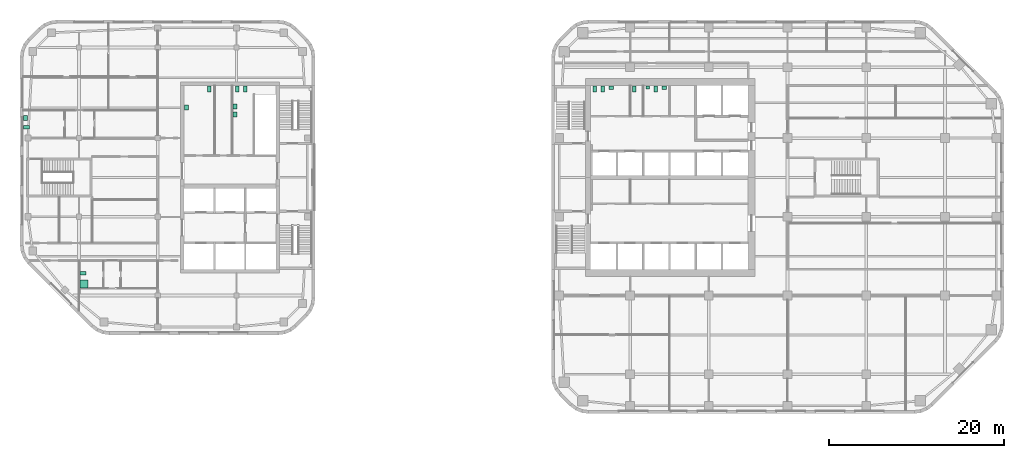
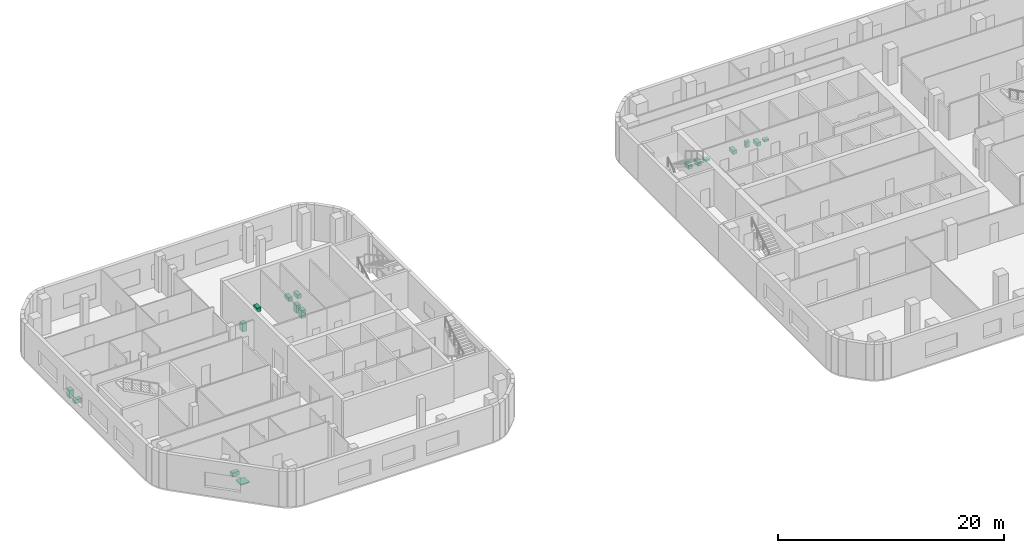
# One storey, part 14 of 14: 17 sanitary terminals.
"""IFC4 building model written with IfcOpenShell, lengths in metres."""

from ifc_helpers import new_model, si_unit, direction, frame, origin, origin_2d, place, context, subcontext, project, spatial, rectangle, extrude, material, type_object, element, save


model = new_model("IFC4")

# Units and contexts
model_context = context("Model", 3, precision=1e-05, world=origin(), true_north=direction((0.0, 1.0)))
body_context = subcontext(model_context, "Body", "Model", "MODEL_VIEW")
ifc_project = project(units=[si_unit("LENGTHUNIT", "METRE"), si_unit("AREAUNIT", "SQUARE_METRE"), si_unit("VOLUMEUNIT", "CUBIC_METRE"), si_unit("PLANEANGLEUNIT", "RADIAN"), si_unit("MASSUNIT", "GRAM", prefix="KILO")], contexts=[model_context])

# Site, building, storey
site_placement = place(None, origin())
site = spatial("IfcSite", under=ifc_project, at=site_placement, CompositionType="ELEMENT")
building_placement = place(site_placement, origin())
building = spatial("IfcBuilding", under=site, at=building_placement, Name="Cinnabar Reach Civic Tower", CompositionType="ELEMENT")
storey_placement = place(building_placement, frame((0.0, 0.0, 112.0)))
storey = spatial("IfcBuildingStorey", under=building, at=storey_placement, Name="L26", CompositionType="ELEMENT", Elevation=112.0)

# Sanitary terminals
ifc_material_1 = material(Name="Vitreous china")
sanitary_terminal_type_1 = type_object("IfcSanitaryTerminalType", Name="T1 WC pan", PredefinedType="TOILETPAN", material=ifc_material_1)
for number, where, z_axis, x_axis, name in (
    (1, (4.95, 41.6, 0.0), (0.0, 0.0, 1.0), (1.0, 0.0, 0.0), "T1 WC pan 2607-1"),
    (2, (5.9, 41.6, 0.0), (0.0, 0.0, 1.0), (1.0, 0.0, 0.0), "T1 WC pan 2607-2"),
    (3, (9.5, 41.6, 0.0), (0.0, 0.0, 1.0), (1.0, 0.0, 0.0), "T1 WC pan 2608-1"),
    (4, (11.95, 41.6, 0.0), (0.0, 0.0, 1.0), (1.0, 0.0, 0.0), "T1 WC pan 2609-2"),
):
    element("IfcSanitaryTerminal", number, at=place(storey_placement, frame(where, z_axis=z_axis, x_axis=x_axis)), inside=storey, type_object=sanitary_terminal_type_1, Name=name, PredefinedType="TOILETPAN", context=body_context, shape_type="SweptSolid", body=[
        extrude(rectangle(XDim=0.4, YDim=0.7, at=origin_2d()), origin(), (0.0, 0.0, 1.0), 0.4),
    ])
sanitary_terminal_type_2 = type_object("IfcSanitaryTerminalType", Name="T1 urinal", PredefinedType="URINAL", material=ifc_material_1)
sanitary_terminal_1_placement = place(storey_placement, frame((11.0, 41.775, 0.0), z_axis=(0.0, 0.0, 1.0), x_axis=(1.0, 0.0, 0.0)))
element("IfcSanitaryTerminal", 5, at=sanitary_terminal_1_placement, inside=storey, type_object=sanitary_terminal_type_2, Name="T1 urinal 2609-1", PredefinedType="URINAL", context=body_context, shape_type="SweptSolid", body=[
    extrude(rectangle(XDim=0.4, YDim=0.35, at=origin_2d()), origin(), (0.0, 0.0, 1.0), 0.6),
])
sanitary_terminal_type_3 = type_object("IfcSanitaryTerminalType", Name="T1 wash basin", PredefinedType="WASHHANDBASIN", material=ifc_material_1)
for number, where, z_axis, x_axis, name in (
    (6, (6.85, 41.74, 0.0), (0.0, 0.0, 1.0), (1.0, 0.0, 0.0), "T1 wash basin 2607-3"),
    (7, (12.9, 41.74, 0.0), (0.0, 0.0, 1.0), (1.0, 0.0, 0.0), "T1 wash basin 2609-3"),
):
    element("IfcSanitaryTerminal", number, at=place(storey_placement, frame(where, z_axis=z_axis, x_axis=x_axis)), inside=storey, type_object=sanitary_terminal_type_3, Name=name, PredefinedType="WASHHANDBASIN", context=body_context, shape_type="SweptSolid", body=[
        extrude(rectangle(XDim=0.5, YDim=0.42, at=origin_2d()), origin(), (0.0, 0.0, 1.0), 0.2),
    ])
ifc_material_2 = material(Name="Acrylic tray")
sanitary_terminal_type_4 = type_object("IfcSanitaryTerminalType", Name="T2 Shower tray", PredefinedType="SHOWER", material=ifc_material_2)
sanitary_terminal_2_placement = place(storey_placement, frame((-53.45, 19.3, 0.0), z_axis=(0.0, 0.0, 1.0), x_axis=(1.0, 0.0, 0.0)))
element("IfcSanitaryTerminal", 8, at=sanitary_terminal_2_placement, inside=storey, type_object=sanitary_terminal_type_4, Name="Shower tray", PredefinedType="SHOWER", context=body_context, shape_type="SweptSolid", body=[
    extrude(rectangle(XDim=0.9, YDim=0.9, at=origin_2d()), origin(), (0.0, 0.0, 1.0), 0.1),
])
sanitary_terminal_type_5 = type_object("IfcSanitaryTerminalType", Name="T2 WC pan", PredefinedType="TOILETPAN", material=ifc_material_1)
for number, where, z_axis, x_axis, name in (
    (9, (-39.1, 41.6, 0.0), (0.0, 0.0, 1.0), (1.0, 0.0, 0.0), "WC pan"),
    (10, (-35.9, 41.6, 0.0), (0.0, 0.0, 1.0), (1.0, 0.0, 0.0), "WC pan"),
    (11, (-35.0, 41.6, 0.0), (0.0, 0.0, 1.0), (1.0, 0.0, 0.0), "WC pan"),
):
    element("IfcSanitaryTerminal", number, at=place(storey_placement, frame(where, z_axis=z_axis, x_axis=x_axis)), inside=storey, type_object=sanitary_terminal_type_5, Name=name, PredefinedType="TOILETPAN", context=body_context, shape_type="SweptSolid", body=[
        extrude(rectangle(XDim=0.4, YDim=0.7, at=origin_2d()), origin(), (0.0, 0.0, 1.0), 0.42),
    ])
for number, where, z_axis, x_axis, name in (
    (12, (-53.55, 20.55, 0.0), (0.0, 0.0, 1.0), (1.0, 0.0, 0.0), "WC pan"),
    (13, (-59.99, 37.25, 0.0), (0.0, 0.0, 1.0), (1.0, 0.0, 0.0), "WC pan"),
):
    element("IfcSanitaryTerminal", number, at=place(storey_placement, frame(where, z_axis=z_axis, x_axis=x_axis)), inside=storey, type_object=sanitary_terminal_type_5, Name=name, PredefinedType="TOILETPAN", context=body_context, shape_type="SweptSolid", body=[
        extrude(rectangle(XDim=0.7, YDim=0.4, at=origin_2d()), origin(), (0.0, 0.0, 1.0), 0.42),
    ])
sanitary_terminal_type_6 = type_object("IfcSanitaryTerminalType", Name="T2 Wash basin", PredefinedType="WASHHANDBASIN", material=ifc_material_1)
for number, where, z_axis, x_axis, name in (
    (14, (-41.725, 39.5, 0.0), (0.0, 0.0, 1.0), (1.0, 0.0, 0.0), "Wash basin"),
    (15, (-36.175, 39.6, 0.0), (0.0, 0.0, 1.0), (1.0, 0.0, 0.0), "Wash basin"),
    (16, (-36.175, 38.7, 0.0), (0.0, 0.0, 1.0), (1.0, 0.0, 0.0), "Wash basin"),
    (17, (-60.115, 38.3, 0.0), (0.0, 0.0, 1.0), (1.0, 0.0, 0.0), "Wash basin"),
):
    element("IfcSanitaryTerminal", number, at=place(storey_placement, frame(where, z_axis=z_axis, x_axis=x_axis)), inside=storey, type_object=sanitary_terminal_type_6, Name=name, PredefinedType="WASHHANDBASIN", context=body_context, shape_type="SweptSolid", body=[
        extrude(rectangle(XDim=0.45, YDim=0.55, at=origin_2d()), origin(), (0.0, 0.0, 1.0), 0.85),
    ])

save(model, "model.ifc")
